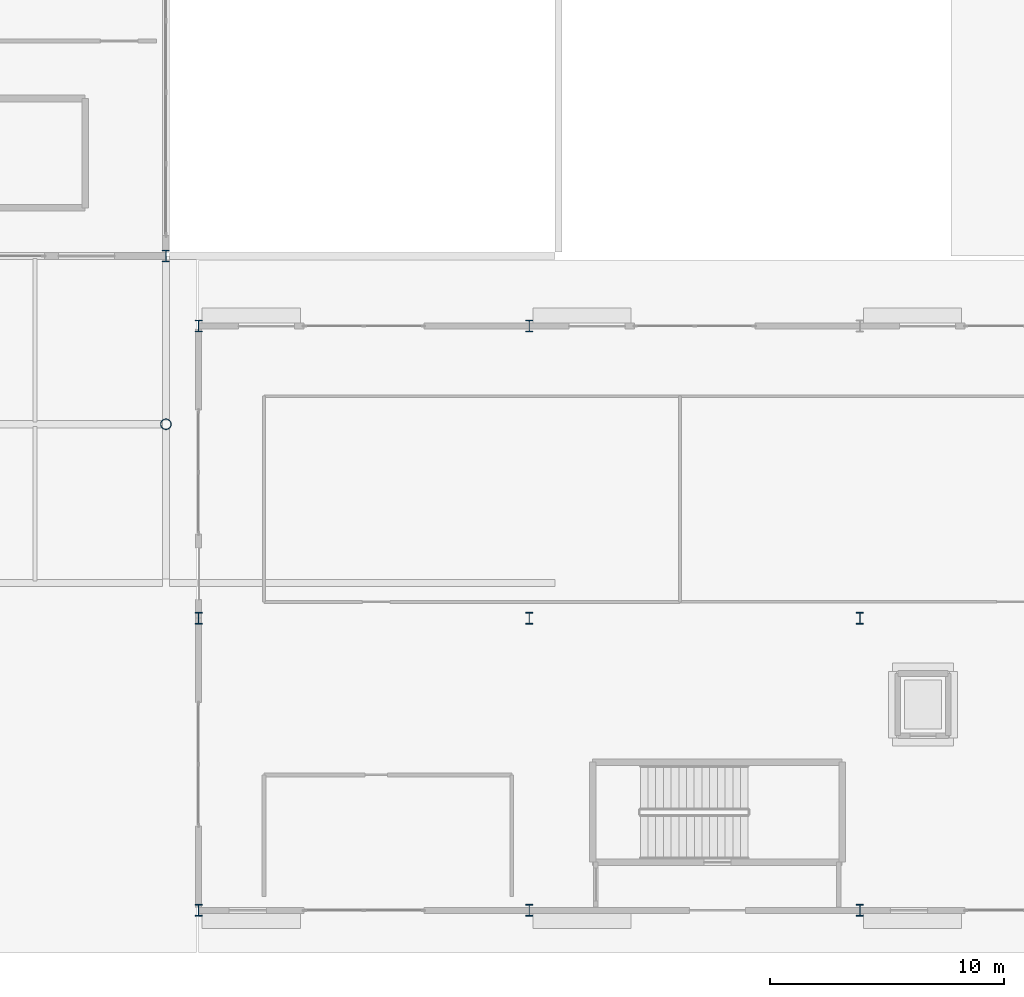
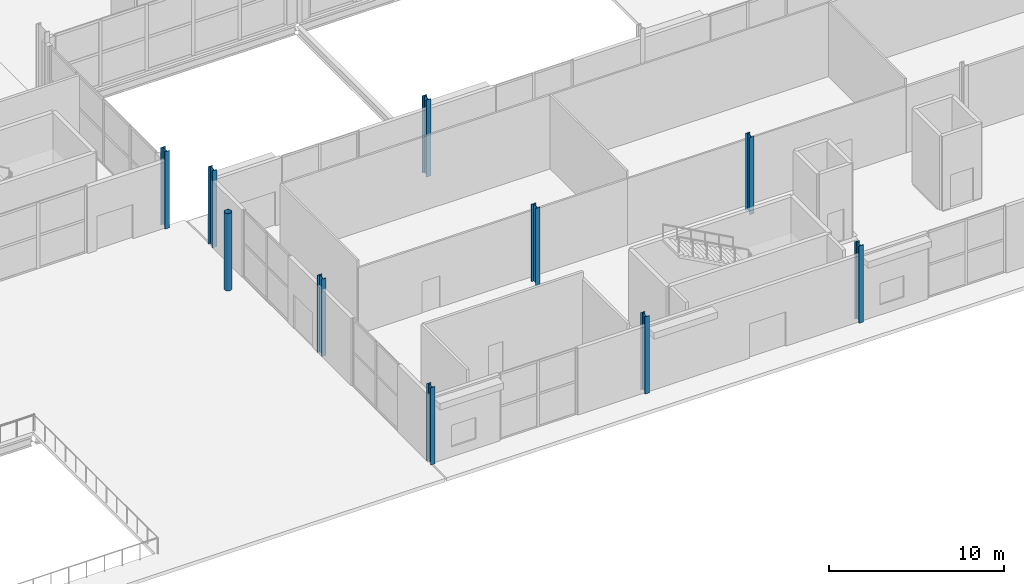
# One storey, part 12 of 87: 10 columns.
"""IFC4 building model written with IfcOpenShell, lengths in metres."""

from ifc_helpers import new_model, si_unit, direction, frame, origin, origin_2d, place, context, subcontext, project, spatial, hollow_circle, i_section, extrude, material, material_profile, profile_set, type_object, element, save


model = new_model("IFC4")

# Units and contexts
model_context = context("Model", 3, precision=1e-05, world=origin(), true_north=direction((0.0, 1.0)))
body_context = subcontext(model_context, "Body", "Model", "MODEL_VIEW")
ifc_project = project(units=[si_unit("LENGTHUNIT", "METRE"), si_unit("AREAUNIT", "SQUARE_METRE"), si_unit("VOLUMEUNIT", "CUBIC_METRE"), si_unit("PLANEANGLEUNIT", "RADIAN"), si_unit("MASSUNIT", "GRAM", prefix="KILO")], contexts=[model_context])

# Site, building, storey
site_placement = place(None, origin())
site = spatial("IfcSite", under=ifc_project, at=site_placement, CompositionType="ELEMENT")
building_placement = place(site_placement, origin())
building = spatial("IfcBuilding", under=site, at=building_placement, Name="Kimbaza Rail Terminus", CompositionType="ELEMENT")
storey_placement = place(building_placement, origin())
storey = spatial("IfcBuildingStorey", under=building, at=storey_placement, Name="L00", CompositionType="ELEMENT", Elevation=0.0)

# Columns
ifc_material_1 = material(Name="White painted steel S355", Category="steel")
ifc_material_profile_1 = material_profile(ifc_material_1, hollow_circle(Radius=0.228515625, WallThickness=0.01611328125, at=origin_2d()), Name="CHS 457x16")
ifc_profile_set_1 = profile_set([ifc_material_profile_1], Name="White painted steel S355")
column_type_1 = type_object("IfcColumnType", Name="STR-COL-CHS457", PredefinedType="COLUMN", material=ifc_profile_set_1)
column_placement = place(storey_placement, frame((156.0, 33.800048828125, 0.0), z_axis=(0.0, 0.0, 1.0), x_axis=(1.0, 0.0, 0.0)))
element("IfcColumn", 1, at=column_placement, inside=storey, type_object=column_type_1, Name="Colonnade Column L00 #7", PredefinedType="COLUMN", context=body_context, shape_type="SweptSolid", body=[
    extrude(hollow_circle(Radius=0.228515625, WallThickness=0.01611328125, at=origin_2d()), origin(), (0.0, 0.0, 1.0), 5.39990234375),
])
ifc_material_2 = material(Name="Steel S355", Category="steel")
ifc_material_profile_2 = material_profile(ifc_material_2, i_section(OverallWidth=0.300048828125, OverallDepth=0.5, WebThickness=0.014404296875, FlangeThickness=0.028076171875, FilletRadius=0.027099609375, at=origin_2d()), Name="HEB 500")
ifc_profile_set_2 = profile_set([ifc_material_profile_2], Name="Steel S355")
column_type_2 = type_object("IfcColumnType", Name="STR-COL-HEB500", PredefinedType="COLUMN", material=ifc_profile_set_2)
for number, where, z_axis, x_axis, name in (
    (2, (156.0, 41.0, 0.0), (0.0, 0.0, 1.0), (1.0, 0.0, 0.0), "South Hall Column L00"),
    (3, (157.39990234375, 13.0, 0.0), (0.0, 0.0, 1.0), (1.0, 0.0, 0.0), "Retail Pavilion Column L00 (0,0)"),
    (4, (157.39990234375, 25.5, 0.0), (0.0, 0.0, 1.0), (1.0, 0.0, 0.0), "Retail Pavilion Column L00 (0,1)"),
    (5, (157.39990234375, 38.0, 0.0), (0.0, 0.0, 1.0), (1.0, 0.0, 0.0), "Retail Pavilion Column L00 (0,2)"),
    (6, (171.550048828125, 13.0, 0.0), (0.0, 0.0, 1.0), (1.0, 0.0, 0.0), "Retail Pavilion Column L00 (1,0)"),
    (7, (171.550048828125, 25.5, 0.0), (0.0, 0.0, 1.0), (1.0, 0.0, 0.0), "Retail Pavilion Column L00 (1,1)"),
    (8, (171.550048828125, 38.0, 0.0), (0.0, 0.0, 1.0), (1.0, 0.0, 0.0), "Retail Pavilion Column L00 (1,2)"),
    (9, (185.699951171875, 13.0, 0.0), (0.0, 0.0, 1.0), (1.0, 0.0, 0.0), "Retail Pavilion Column L00 (2,0)"),
    (10, (185.699951171875, 25.5, 0.0), (0.0, 0.0, 1.0), (1.0, 0.0, 0.0), "Retail Pavilion Column L00 (2,1)"),
):
    element("IfcColumn", number, at=place(storey_placement, frame(where, z_axis=z_axis, x_axis=x_axis)), inside=storey, type_object=column_type_2, Name=name, PredefinedType="COLUMN", context=body_context, shape_type="SweptSolid", body=[
        extrude(i_section(OverallWidth=0.300048828125, OverallDepth=0.5, WebThickness=0.014404296875, FlangeThickness=0.028076171875, FilletRadius=0.027099609375, at=origin_2d()), origin(), (0.0, 0.0, 1.0), 5.39990234375),
    ])

save(model, "model.ifc")
